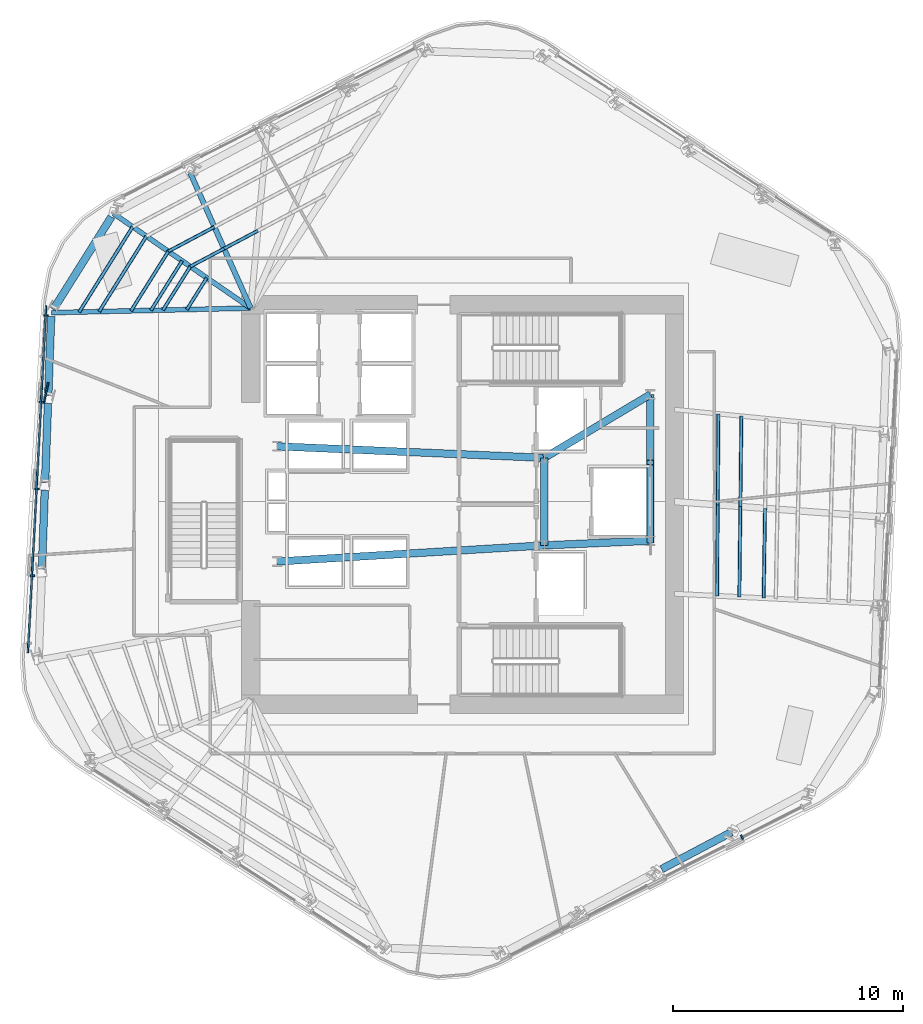
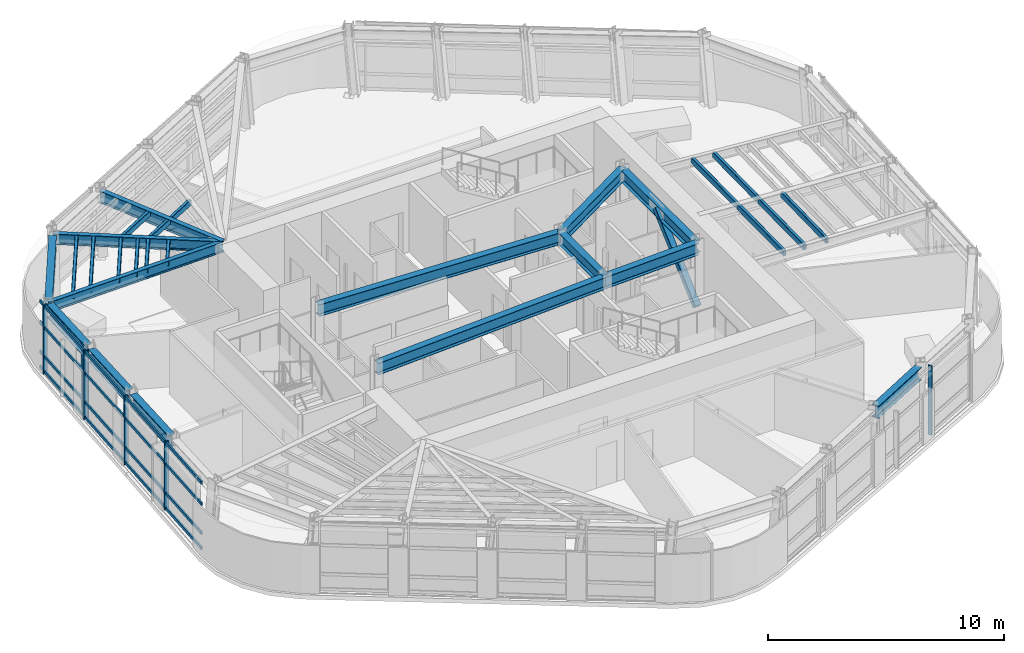
# One storey, part 3 of 14: 25 members, 14 beams, 2 elements without a shape of their own.
"""IFC4 building model written with IfcOpenShell, lengths in metres."""

from ifc_helpers import new_model, si_unit, direction, frame, origin, origin_2d, place, context, subcontext, project, spatial, rectangle, hollow_rectangle, i_section, extrude, material, layer, layer_set, material_profile, profile_set, type_object, element, aggregate, save


model = new_model("IFC4")

# Units and contexts
model_context = context("Model", 3, precision=1e-05, world=origin(), true_north=direction((0.0, 1.0)))
body_context = subcontext(model_context, "Body", "Model", "MODEL_VIEW")
ifc_project = project(units=[si_unit("LENGTHUNIT", "METRE"), si_unit("AREAUNIT", "SQUARE_METRE"), si_unit("VOLUMEUNIT", "CUBIC_METRE"), si_unit("PLANEANGLEUNIT", "RADIAN"), si_unit("MASSUNIT", "GRAM", prefix="KILO")], contexts=[model_context])

# Site, building, storey
site_placement = place(None, origin())
site = spatial("IfcSite", under=ifc_project, at=site_placement, CompositionType="ELEMENT")
building_placement = place(site_placement, origin())
building = spatial("IfcBuilding", under=site, at=building_placement, Name="Valkerne Bourse Tower", CompositionType="ELEMENT")
storey_placement = place(building_placement, frame((0.0, 0.0, 140.0)))
storey = spatial("IfcBuildingStorey", under=building, at=storey_placement, Name="L35", CompositionType="ELEMENT", Elevation=140.0)

# Beams
ifc_material_1 = material(Name="Steel ASTM A992", Category="steel")
ifc_material_profile_1 = material_profile(ifc_material_1, i_section(OverallWidth=0.209228515625, OverallDepth=0.533447265625, WebThickness=0.01025390625, FlangeThickness=0.015625, FilletRadius=0.017822265625, at=origin_2d()), Name="W21X62")
ifc_profile_set_1 = profile_set([ifc_material_profile_1], Name="Steel ASTM A992")
beam_type_1 = type_object("IfcBeamType", Name="BM-W21X62", PredefinedType="JOIST", material=ifc_profile_set_1)
beam_1_placement = place(storey_placement, frame((28.9453125, 35.201904296875, 3.313232421875), z_axis=(0.99973841743, 0.02287130766, 0.0), x_axis=(-0.02287130766, 0.99973841743, 0.0)))
element("IfcBeam", 1, at=beam_1_placement, inside=storey, type_object=beam_type_1, Name="L35 Radial Composite Floor Beam 10", PredefinedType="JOIST", context=body_context, shape_type="SweptSolid", body=[
    extrude(i_section(OverallWidth=0.209228515625, OverallDepth=0.533447265625, WebThickness=0.01025390625, FlangeThickness=0.015625, FilletRadius=0.017822265625, at=origin_2d()), origin(), (0.0, 0.0, 1.0), 8.656982421875),
])
ifc_material_profile_2 = material_profile(ifc_material_1, i_section(OverallWidth=0.2138671875, OverallDepth=0.548583984375, WebThickness=0.0146484375, FlangeThickness=0.023681640625, FilletRadius=0.017822265625, at=origin_2d()), Name="W21X93")
ifc_profile_set_2 = profile_set([ifc_material_profile_2], Name="Steel ASTM A992")
beam_type_2 = type_object("IfcBeamType", Name="BM-W21X93", PredefinedType="BEAM", material=ifc_profile_set_2)
beam_2_placement = place(storey_placement, frame((31.64501953125, 39.505126953125, 3.3056640625), z_axis=(0.823324285626, -0.567571247245, 0.0), x_axis=(0.567571247245, 0.823324285626, 0.0)))
element("IfcBeam", 2, at=beam_2_placement, inside=storey, type_object=beam_type_2, Name="L35 Radial Composite Floor Beam 09", PredefinedType="BEAM", context=body_context, shape_type="SweptSolid", body=[
    extrude(i_section(OverallWidth=0.2138671875, OverallDepth=0.548583984375, WebThickness=0.0146484375, FlangeThickness=0.023681640625, FilletRadius=0.017822265625, at=origin_2d()), origin(), (0.0, 0.0, 1.0), 7.23291015625),
])
ifc_material_profile_3 = material_profile(ifc_material_1, i_section(OverallWidth=0.3251953125, OverallDepth=0.612060546875, WebThickness=0.0126953125, FlangeThickness=0.01904296875, FilletRadius=0.020263671875, at=origin_2d()), Name="W24X104")
ifc_profile_set_3 = profile_set([ifc_material_profile_3], Name="Steel ASTM A992")
beam_type_3 = type_object("IfcBeamType", Name="BM-W24X104", PredefinedType="BEAM", material=ifc_profile_set_3)
beam_3_placement = place(storey_placement, frame((50.35009765625, 25.10009765625, 3.27392578125), z_axis=(0.0, 1.0, 0.0), x_axis=(-1.0, 0.0, 0.0)))
element("IfcBeam", 3, at=beam_3_placement, inside=storey, type_object=beam_type_3, Name="L35 Core Frame Girder CG-CE", PredefinedType="BEAM", context=body_context, shape_type="SweptSolid", body=[
    extrude(i_section(OverallWidth=0.3251953125, OverallDepth=0.612060546875, WebThickness=0.0126953125, FlangeThickness=0.01904296875, FilletRadius=0.020263671875, at=origin_2d()), origin(), (0.0, 0.0, 1.0), 3.7998046875),
])
beam_4_placement = place(storey_placement, frame((50.35009765625, 25.10009765625, 3.27392578125), z_axis=(0.999056558506, 0.043428019819, 0.0), x_axis=(-0.043428019819, 0.999056558506, 0.0)))
element("IfcBeam", 4, at=beam_4_placement, inside=storey, type_object=beam_type_3, Name="L35 Core Frame Girder CG-SE", PredefinedType="BEAM", context=body_context, shape_type="SweptSolid", body=[
    extrude(i_section(OverallWidth=0.3251953125, OverallDepth=0.612060546875, WebThickness=0.0126953125, FlangeThickness=0.01904296875, FilletRadius=0.020263671875, at=origin_2d()), origin(), (0.0, 0.0, 1.0), 4.604248046875),
])
beam_5_placement = place(storey_placement, frame((50.35009765625, 28.89990234375, 3.27392578125), z_axis=(0.858307823492, 0.513135148019, 0.0), x_axis=(-0.513135148019, 0.858307823492, 0.0)))
element("IfcBeam", 5, at=beam_5_placement, inside=storey, type_object=beam_type_3, Name="L35 Core Frame Girder CG-NE", PredefinedType="BEAM", context=body_context, shape_type="SweptSolid", body=[
    extrude(i_section(OverallWidth=0.3251953125, OverallDepth=0.612060546875, WebThickness=0.0126953125, FlangeThickness=0.01904296875, FilletRadius=0.020263671875, at=origin_2d()), origin(), (0.0, 0.0, 1.0), 5.359130859375),
])
beam_6_placement = place(storey_placement, frame((54.949951171875, 25.300048828125, 3.27392578125), z_axis=(0.0, 1.0, 0.0), x_axis=(-1.0, 0.0, 0.0)))
element("IfcBeam", 6, at=beam_6_placement, inside=storey, type_object=beam_type_3, Name="L35 Core Frame Girder CG-EE", PredefinedType="BEAM", context=body_context, shape_type="SweptSolid", body=[
    extrude(i_section(OverallWidth=0.3251953125, OverallDepth=0.612060546875, WebThickness=0.0126953125, FlangeThickness=0.01904296875, FilletRadius=0.020263671875, at=origin_2d()), origin(), (0.0, 0.0, 1.0), 6.349853515625),
])
beam_7_placement = place(storey_placement, frame((38.75, 24.39990234375, 3.27392578125), z_axis=(0.998183228389, 0.060251494276, 0.0), x_axis=(-0.060251494276, 0.998183228389, 0.0)))
element("IfcBeam", 7, at=beam_7_placement, inside=storey, type_object=beam_type_3, Name="L35 Core Frame Girder CG-SW", PredefinedType="BEAM", context=body_context, shape_type="SweptSolid", body=[
    extrude(i_section(OverallWidth=0.3251953125, OverallDepth=0.612060546875, WebThickness=0.0126953125, FlangeThickness=0.01904296875, FilletRadius=0.020263671875, at=origin_2d()), origin(), (0.0, 0.0, 1.0), 11.62109375),
])
beam_8_placement = place(storey_placement, frame((38.75, 29.39990234375, 3.27392578125), z_axis=(0.999072354402, -0.043063101019, 0.0), x_axis=(0.043063101019, 0.999072354402, 0.0)))
element("IfcBeam", 8, at=beam_8_placement, inside=storey, type_object=beam_type_3, Name="L35 Core Frame Girder CG-NW", PredefinedType="BEAM", context=body_context, shape_type="SweptSolid", body=[
    extrude(i_section(OverallWidth=0.3251953125, OverallDepth=0.612060546875, WebThickness=0.0126953125, FlangeThickness=0.01904296875, FilletRadius=0.020263671875, at=origin_2d()), origin(), (0.0, 0.0, 1.0), 11.61083984375),
])
ifc_material_profile_4 = material_profile(ifc_material_1, i_section(OverallWidth=0.330078125, OverallDepth=0.647705078125, WebThickness=0.0205078125, FlangeThickness=0.037109375, FilletRadius=0.020263671875, at=origin_2d()), Name="W24X192")
ifc_profile_set_4 = profile_set([ifc_material_profile_4], Name="Steel ASTM A992")
beam_type_4 = type_object("IfcBeamType", Name="BM-W24X192", PredefinedType="SPANDREL", material=ifc_profile_set_4)
beam_9_placement = place(storey_placement, frame((31.5546875, 39.361083984375, 3.256103515625), z_axis=(-0.531428752109, -0.847102993403, 0.0), x_axis=(0.847102993403, -0.531428752109, 0.0)))
element("IfcBeam", 9, at=beam_9_placement, inside=storey, type_object=beam_type_4, Name="L35 Hexagonal Spandrel Ring Beam 09", PredefinedType="SPANDREL", context=body_context, shape_type="SweptSolid", body=[
    extrude(i_section(OverallWidth=0.330078125, OverallDepth=0.647705078125, WebThickness=0.0205078125, FlangeThickness=0.037109375, FilletRadius=0.020263671875, at=origin_2d()), origin(), (0.0, 0.0, 1.0), 4.740234375),
])
for number, where, z_axis, x_axis, name in (
    (10, (28.939208984375, 35.031982421875, 3.256103515625), (-0.036716894408, -0.999325707497, 0.0), (0.999325707497, -0.036716894408, 0.0), "L35 Hexagonal Spandrel Ring Beam 10"),
    (11, (28.80078125, 31.263427734375, 3.256103515625), (-0.036574771609, -0.999330919206, 0.0), (0.999330919206, -0.036574771609, 0.0), "L35 Hexagonal Spandrel Ring Beam 11"),
):
    element("IfcBeam", number, at=place(storey_placement, frame(where, z_axis=z_axis, x_axis=x_axis)), inside=storey, type_object=beam_type_4, Name=name, PredefinedType="SPANDREL", context=body_context, shape_type="SweptSolid", body=[
        extrude(i_section(OverallWidth=0.330078125, OverallDepth=0.647705078125, WebThickness=0.0205078125, FlangeThickness=0.037109375, FilletRadius=0.020263671875, at=origin_2d()), origin(), (0.0, 0.0, 1.0), 3.430908203125),
    ])
beam_10_placement = place(storey_placement, frame((28.662841796875, 27.494873046875, 3.256103515625), z_axis=(-0.036648439326, -0.999328220304, 0.0), x_axis=(0.999328220304, -0.036648439326, 0.0)))
element("IfcBeam", 12, at=beam_10_placement, inside=storey, type_object=beam_type_4, Name="L35 Hexagonal Spandrel Ring Beam 12", PredefinedType="SPANDREL", context=body_context, shape_type="SweptSolid", body=[
    extrude(i_section(OverallWidth=0.330078125, OverallDepth=0.647705078125, WebThickness=0.0205078125, FlangeThickness=0.037109375, FilletRadius=0.020263671875, at=origin_2d()), origin(), (0.0, 0.0, 1.0), 3.4306640625),
])
beam_11_placement = place(storey_placement, frame((55.43994140625, 11.045166015625, 3.256103515625), z_axis=(0.883767145391, 0.467926952342, 0.0), x_axis=(-0.467926952342, 0.883767145391, 0.0)))
element("IfcBeam", 13, at=beam_11_placement, inside=storey, type_object=beam_type_4, Name="L35 Hexagonal Spandrel Ring Beam 22", PredefinedType="SPANDREL", context=body_context, shape_type="SweptSolid", body=[
    extrude(i_section(OverallWidth=0.330078125, OverallDepth=0.647705078125, WebThickness=0.0205078125, FlangeThickness=0.037109375, FilletRadius=0.020263671875, at=origin_2d()), origin(), (0.0, 0.0, 1.0), 3.430908203125),
])
ifc_material_profile_5 = material_profile(ifc_material_1, i_section(OverallWidth=0.228271484375, OverallDepth=0.607177734375, WebThickness=0.01123046875, FlangeThickness=0.017333984375, FilletRadius=0.017822265625, at=origin_2d()), Name="W24X76")
ifc_profile_set_5 = profile_set([ifc_material_profile_5], Name="Steel ASTM A992")
beam_type_5 = type_object("IfcBeamType", Name="BM-W24X76", PredefinedType="JOIST", material=ifc_profile_set_5)
beam_12_placement = place(storey_placement, frame((34.9775390625, 41.269775390625, 3.276611328125), z_axis=(0.407920530381, -0.913017437344, 0.0), x_axis=(0.913017437344, 0.407920530381, 0.0)))
element("IfcBeam", 14, at=beam_12_placement, inside=storey, type_object=beam_type_5, Name="L35 Radial Composite Floor Beam 08", PredefinedType="JOIST", context=body_context, shape_type="SweptSolid", body=[
    extrude(i_section(OverallWidth=0.228271484375, OverallDepth=0.607177734375, WebThickness=0.01123046875, FlangeThickness=0.017333984375, FilletRadius=0.017822265625, at=origin_2d()), origin(), (0.0, 0.0, 1.0), 6.42919921875),
])

# Curtain wall, members
ifc_material_2 = material(Name="Aluminium AA 6063-T6", Category="aluminium")
ifc_layer = layer(ifc_material_2, 0.235107421875)
ifc_layer_set = layer_set([ifc_layer], Name="Aluminium AA 6063-T6")
curtain_wall_type = type_object("IfcCurtainWallType", Name="CW-03", PredefinedType="NOTDEFINED", material=ifc_layer_set)
curtain_wall_1_placement = place(storey_placement, origin())
curtain_wall_1 = element("IfcCurtainWall", 15, at=curtain_wall_1_placement, inside=storey, type_object=curtain_wall_type, Name="L35 Hexagonal Stick Curtain Wall Face 3", PredefinedType="NOTDEFINED")
ifc_material_profile_6 = material_profile(ifc_material_2, rectangle(XDim=0.074951171875, YDim=0.199951171875, at=origin_2d()), Name="CWM-75X200")
ifc_profile_set_6 = profile_set([ifc_material_profile_6], Name="Aluminium AA 6063-T6")
member_type_1 = type_object("IfcMemberType", Name="CW-MUL-220X75", PredefinedType="MULLION", material=ifc_profile_set_6)
member_1_placement = place(storey_placement, frame((28.71484375, 35.07958984375, 0.0), z_axis=(0.0, 0.0, 1.0), x_axis=(-0.052347270988, -0.99862894171, 0.0)))
member_1 = element("IfcMember", 16, at=member_1_placement, type_object=member_type_1, Name="CW-L35-F3 Jamb Mullion 00A", PredefinedType="MULLION", context=body_context, shape_type="SweptSolid", body=[
    extrude(rectangle(XDim=0.074951171875, YDim=0.199951171875, at=origin_2d()), origin(), (0.0, 0.0, 1.0), 3.580078125),
])
member_2_placement = place(storey_placement, frame((28.517578125, 31.313720703125, 0.0), z_axis=(0.0, 0.0, 1.0), x_axis=(-0.052345884761, -0.998629014374, 0.0)))
member_2 = element("IfcMember", 17, at=member_2_placement, type_object=member_type_1, Name="CW-L35-F3 Jamb Mullion 01A", PredefinedType="MULLION", context=body_context, shape_type="SweptSolid", body=[
    extrude(rectangle(XDim=0.074951171875, YDim=0.199951171875, at=origin_2d()), origin(), (0.0, 0.0, 1.0), 3.580078125),
])
member_3_placement = place(storey_placement, frame((28.320068359375, 27.5478515625, 0.0), z_axis=(0.0, 0.0, 1.0), x_axis=(-0.052320825223, -0.998630327623, 0.0)))
member_3 = element("IfcMember", 18, at=member_3_placement, type_object=member_type_1, Name="CW-L35-F3 Jamb Mullion 02A", PredefinedType="MULLION", context=body_context, shape_type="SweptSolid", body=[
    extrude(rectangle(XDim=0.074951171875, YDim=0.199951171875, at=origin_2d()), origin(), (0.0, 0.0, 1.0), 3.580078125),
])
member_4_placement = place(storey_placement, frame((28.122802734375, 23.781982421875, 0.0), z_axis=(0.0, 0.0, 1.0), x_axis=(-0.052347270988, -0.99862894171, 0.0)))
member_4 = element("IfcMember", 19, at=member_4_placement, type_object=member_type_1, Name="CW-L35-F3 Jamb Mullion 03A", PredefinedType="MULLION", context=body_context, shape_type="SweptSolid", body=[
    extrude(rectangle(XDim=0.074951171875, YDim=0.199951171875, at=origin_2d()), origin(), (0.0, 0.0, 1.0), 3.580078125),
])

# Curtain wall, member
curtain_wall_2_placement = place(storey_placement, origin())
curtain_wall_2 = element("IfcCurtainWall", 20, at=curtain_wall_2_placement, inside=storey, type_object=curtain_wall_type, Name="L35 Hexagonal Stick Curtain Wall Face 5", PredefinedType="NOTDEFINED")
member_5_placement = place(storey_placement, frame((58.92529296875, 12.43408203125, 0.0), z_axis=(0.0, 0.0, 1.0), x_axis=(0.891007115267, 0.453989339681, 0.0)))
member_5 = element("IfcMember", 21, at=member_5_placement, type_object=member_type_1, Name="CW-L35-F5 Jamb Mullion 03A", PredefinedType="MULLION", context=body_context, shape_type="SweptSolid", body=[
    extrude(rectangle(XDim=0.074951171875, YDim=0.199951171875, at=origin_2d()), origin(), (0.0, 0.0, 1.0), 3.580078125),
])
aggregate(curtain_wall_2, [member_5])

# Member
ifc_material_profile_7 = material_profile(ifc_material_2, rectangle(XDim=0.074951171875, YDim=0.14990234375, at=origin_2d()), Name="CWT-75X150")
ifc_profile_set_7 = profile_set([ifc_material_profile_7], Name="Aluminium AA 6063-T6")
member_type_2 = type_object("IfcMemberType", Name="CW-TRN-180X65", PredefinedType="USERDEFINED", material=ifc_profile_set_7)
member_6_placement = place(storey_placement, frame((28.716796875, 35.5, 0.1201171875), z_axis=(-0.052327763398, -0.99862996409, 0.0), x_axis=(0.99862996409, -0.052327763398, 0.0)))
member_6 = element("IfcMember", 22, at=member_6_placement, type_object=member_type_2, Name="CW-L35-F3 Continuous Face Transom 1", ObjectType="TRANSOM", PredefinedType="USERDEFINED", context=body_context, shape_type="SweptSolid", body=[
    extrude(rectangle(XDim=0.074951171875, YDim=0.14990234375, at=origin_2d()), origin(), (0.0, 0.0, 1.0), 15.083984375),
])

member_7_placement = place(storey_placement, frame((28.716796875, 35.5, 0.89990234375), z_axis=(-0.052327763398, -0.99862996409, 0.0), x_axis=(0.99862996409, -0.052327763398, 0.0)))
member_7 = element("IfcMember", 23, at=member_7_placement, type_object=member_type_2, Name="CW-L35-F3 Continuous Face Transom 2", ObjectType="TRANSOM", PredefinedType="USERDEFINED", context=body_context, shape_type="SweptSolid", body=[
    extrude(rectangle(XDim=0.074951171875, YDim=0.14990234375, at=origin_2d()), origin(), (0.0, 0.0, 1.0), 15.083984375),
])

member_8_placement = place(storey_placement, frame((28.716796875, 35.5, 2.39990234375), z_axis=(-0.052327763398, -0.99862996409, 0.0), x_axis=(0.99862996409, -0.052327763398, 0.0)))
member_8 = element("IfcMember", 24, at=member_8_placement, type_object=member_type_2, Name="CW-L35-F3 Continuous Face Transom 3", ObjectType="TRANSOM", PredefinedType="USERDEFINED", context=body_context, shape_type="SweptSolid", body=[
    extrude(rectangle(XDim=0.074951171875, YDim=0.14990234375, at=origin_2d()), origin(), (0.0, 0.0, 1.0), 15.083984375),
])

member_9_placement = place(storey_placement, frame((28.716796875, 35.5, 3.5), z_axis=(-0.052327763398, -0.99862996409, 0.0), x_axis=(0.99862996409, -0.052327763398, 0.0)))
member_9 = element("IfcMember", 25, at=member_9_placement, type_object=member_type_2, Name="CW-L35-F3 Continuous Face Transom 4", ObjectType="TRANSOM", PredefinedType="USERDEFINED", context=body_context, shape_type="SweptSolid", body=[
    extrude(rectangle(XDim=0.074951171875, YDim=0.14990234375, at=origin_2d()), origin(), (0.0, 0.0, 1.0), 15.083984375),
])

aggregate(curtain_wall_1, [member_6, member_7, member_8, member_9, member_1, member_2, member_3, member_4])

# Members
ifc_material_3 = material(Name="Bronze Anodised Aluminium AA 6063-T6", Category="aluminium")
ifc_material_profile_8 = material_profile(ifc_material_3, rectangle(XDim=0.070068359375, YDim=0.89990234375, at=origin_2d()), Name="FIN-70X900")
ifc_profile_set_8 = profile_set([ifc_material_profile_8], Name="Bronze Anodised Aluminium AA 6063-T6")
member_type_3 = type_object("IfcMemberType", Name="FIN-SOLAR-900", PredefinedType="USERDEFINED", material=ifc_profile_set_8)
member_10_placement = place(storey_placement, frame((28.71923828125, 31.723876953125, 0.00390625), z_axis=(0.0, 0.0, 1.0), x_axis=(-0.97780902875, 0.209498217881, 0.0)))
element("IfcMember", 26, at=member_10_placement, inside=storey, type_object=member_type_3, Name="L35 Bronze Anodised Solar Fin F3-01", ObjectType="SOLAR_FIN", PredefinedType="USERDEFINED", context=body_context, shape_type="SweptSolid", body=[
    extrude(rectangle(XDim=0.070068359375, YDim=0.89990234375, at=origin_2d()), origin(), (0.0, 0.0, 1.0), 3.572021484375),
])
ifc_material_4 = material(Name="Steel ASTM A500 Grade C", Category="steel")
ifc_material_profile_9 = material_profile(ifc_material_4, hollow_rectangle(XDim=0.14990234375, YDim=0.300048828125, WallThickness=0.012451171875, OuterFilletRadius=0.02490234375, at=origin_2d()), Name="HSS300X150X12.5")
ifc_profile_set_9 = profile_set([ifc_material_profile_9], Name="Steel ASTM A500 Grade C")
member_type_4 = type_object("IfcMemberType", Name="MBR-HSS300X150X12.5", PredefinedType="PURLIN", material=ifc_profile_set_9)
member_11_placement = place(storey_placement, frame((35.6943359375, 36.713623046875, 3.419921875), z_axis=(-0.531402316367, -0.84711957725, 0.0), x_axis=(0.84711957725, -0.531402316367, 0.0)))
element("IfcMember", 27, at=member_11_placement, inside=storey, type_object=member_type_4, Name="L35 Secondary Composite Floor Purlin I-09", PredefinedType="PURLIN", context=body_context, shape_type="SweptSolid", body=[
    extrude(hollow_rectangle(XDim=0.14990234375, YDim=0.300048828125, WallThickness=0.012451171875, OuterFilletRadius=0.02490234375, at=origin_2d()), origin(), (0.0, 0.0, 1.0), 1.62548828125),
])
member_12_placement = place(storey_placement, frame((58.813720703125, 22.861328125, 3.419921875), z_axis=(0.011254806041, 0.999936662665, 0.0), x_axis=(-0.999936662665, 0.011254806041, 0.0)))
element("IfcMember", 28, at=member_12_placement, inside=storey, type_object=member_type_4, Name="L35 Secondary Composite Floor Purlin I-26", PredefinedType="PURLIN", context=body_context, shape_type="SweptSolid", body=[
    extrude(hollow_rectangle(XDim=0.14990234375, YDim=0.300048828125, WallThickness=0.012451171875, OuterFilletRadius=0.02490234375, at=origin_2d()), origin(), (0.0, 0.0, 1.0), 3.92626953125),
])
member_13_placement = place(storey_placement, frame((58.85791015625, 26.787353515625, 3.419921875), z_axis=(0.011255505878, 0.999936654787, 0.0), x_axis=(-0.999936654787, 0.011255505878, 0.0)))
element("IfcMember", 29, at=member_13_placement, inside=storey, type_object=member_type_4, Name="L35 Secondary Composite Floor Purlin I-27", PredefinedType="PURLIN", context=body_context, shape_type="SweptSolid", body=[
    extrude(hollow_rectangle(XDim=0.14990234375, YDim=0.300048828125, WallThickness=0.012451171875, OuterFilletRadius=0.02490234375, at=origin_2d()), origin(), (0.0, 0.0, 1.0), 3.926025390625),
])
member_14_placement = place(storey_placement, frame((37.91259765625, 38.759033203125, 3.419921875), z_axis=(-0.883798652491, -0.467867440473, 0.0), x_axis=(0.467867440473, -0.883798652491, 0.0)))
element("IfcMember", 30, at=member_14_placement, inside=storey, type_object=member_type_4, Name="L35 Secondary Composite Floor Purlin K-07", PredefinedType="PURLIN", context=body_context, shape_type="SweptSolid", body=[
    extrude(hollow_rectangle(XDim=0.14990234375, YDim=0.300048828125, WallThickness=0.012451171875, OuterFilletRadius=0.02490234375, at=origin_2d()), origin(), (0.0, 0.0, 1.0), 1.659423828125),
])
member_15_placement = place(storey_placement, frame((36.446044921875, 37.982666015625, 3.419921875), z_axis=(-0.88376643987, -0.467928284846, 0.0), x_axis=(0.467928284846, -0.88376643987, 0.0)))
element("IfcMember", 31, at=member_15_placement, inside=storey, type_object=member_type_4, Name="L35 Secondary Composite Floor Purlin K-08", PredefinedType="PURLIN", context=body_context, shape_type="SweptSolid", body=[
    extrude(hollow_rectangle(XDim=0.14990234375, YDim=0.300048828125, WallThickness=0.012451171875, OuterFilletRadius=0.02490234375, at=origin_2d()), origin(), (0.0, 0.0, 1.0), 1.6591796875),
])
member_16_placement = place(storey_placement, frame((34.979736328125, 37.206298828125, 3.419921875), z_axis=(-0.531372742839, -0.847138128152, 0.0), x_axis=(0.847138128152, -0.531372742839, 0.0)))
element("IfcMember", 32, at=member_16_placement, inside=storey, type_object=member_type_4, Name="L35 Secondary Composite Floor Purlin K-09", PredefinedType="PURLIN", context=body_context, shape_type="SweptSolid", body=[
    extrude(hollow_rectangle(XDim=0.14990234375, YDim=0.300048828125, WallThickness=0.012451171875, OuterFilletRadius=0.02490234375, at=origin_2d()), origin(), (0.0, 0.0, 1.0), 2.2353515625),
])
member_17_placement = place(storey_placement, frame((59.868896484375, 22.809326171875, 3.419921875), z_axis=(0.015592768079, 0.999878425402, 0.0), x_axis=(-0.999878425402, 0.015592768079, 0.0)))
element("IfcMember", 33, at=member_17_placement, inside=storey, type_object=member_type_4, Name="L35 Secondary Composite Floor Purlin K-26", PredefinedType="PURLIN", context=body_context, shape_type="SweptSolid", body=[
    extrude(hollow_rectangle(XDim=0.14990234375, YDim=0.300048828125, WallThickness=0.012451171875, OuterFilletRadius=0.02490234375, at=origin_2d()), origin(), (0.0, 0.0, 1.0), 3.898681640625),
])
member_18_placement = place(storey_placement, frame((34.62255859375, 37.45263671875, 3.419921875), z_axis=(-0.53139776725, -0.847122430917, 0.0), x_axis=(0.847122430917, -0.53139776725, 0.0)))
element("IfcMember", 34, at=member_18_placement, inside=storey, type_object=member_type_4, Name="L35 Secondary Composite Floor Purlin M-09", PredefinedType="PURLIN", context=body_context, shape_type="SweptSolid", body=[
    extrude(hollow_rectangle(XDim=0.14990234375, YDim=0.300048828125, WallThickness=0.012451171875, OuterFilletRadius=0.02490234375, at=origin_2d()), origin(), (0.0, 0.0, 1.0), 2.540283203125),
])
member_19_placement = place(storey_placement, frame((33.07421875, 38.52001953125, 3.419921875), z_axis=(-0.531430573025, -0.847101851051, 0.0), x_axis=(0.847101851051, -0.531430573025, 0.0)))
element("IfcMember", 35, at=member_19_placement, inside=storey, type_object=member_type_4, Name="L35 Secondary Composite Floor Purlin O-09", PredefinedType="PURLIN", context=body_context, shape_type="SweptSolid", body=[
    extrude(hollow_rectangle(XDim=0.14990234375, YDim=0.300048828125, WallThickness=0.012451171875, OuterFilletRadius=0.02490234375, at=origin_2d()), origin(), (0.0, 0.0, 1.0), 3.86083984375),
])
member_20_placement = place(storey_placement, frame((36.026611328125, 38.921875, 3.419921875), z_axis=(-0.883761670413, -0.467937292709, 0.0), x_axis=(0.467937292709, -0.883761670413, 0.0)))
element("IfcMember", 36, at=member_20_placement, inside=storey, type_object=member_type_4, Name="L35 Secondary Composite Floor Purlin Z-08", PredefinedType="PURLIN", context=body_context, shape_type="SweptSolid", body=[
    extrude(hollow_rectangle(XDim=0.14990234375, YDim=0.300048828125, WallThickness=0.012451171875, OuterFilletRadius=0.02490234375, at=origin_2d()), origin(), (0.0, 0.0, 1.0), 2.2626953125),
])
member_21_placement = place(storey_placement, frame((34.02685546875, 37.863037109375, 3.419921875), z_axis=(-0.531380628557, -0.847133181734, 0.0), x_axis=(0.847133181734, -0.531380628557, 0.0)))
element("IfcMember", 37, at=member_21_placement, inside=storey, type_object=member_type_4, Name="L35 Secondary Composite Floor Purlin Z-09", PredefinedType="PURLIN", context=body_context, shape_type="SweptSolid", body=[
    extrude(hollow_rectangle(XDim=0.14990234375, YDim=0.300048828125, WallThickness=0.012451171875, OuterFilletRadius=0.02490234375, at=origin_2d()), origin(), (0.0, 0.0, 1.0), 3.0478515625),
])
for number, where, z_axis, x_axis, name in (
    (38, (57.846435546875, 22.908935546875, 3.419921875), (0.007352288144, 0.999972971564, 0.0), (-0.999972971564, 0.007352288144, 0.0), "L35 Secondary Composite Floor Purlin S-26"),
    (39, (57.87548828125, 26.8603515625, 3.419921875), (0.007352288144, 0.999972971564, 0.0), (-0.999972971564, 0.007352288144, 0.0), "L35 Secondary Composite Floor Purlin S-27"),
):
    element("IfcMember", number, at=place(storey_placement, frame(where, z_axis=z_axis, x_axis=x_axis)), inside=storey, type_object=member_type_4, Name=name, PredefinedType="PURLIN", context=body_context, shape_type="SweptSolid", body=[
        extrude(hollow_rectangle(XDim=0.14990234375, YDim=0.300048828125, WallThickness=0.012451171875, OuterFilletRadius=0.02490234375, at=origin_2d()), origin(), (0.0, 0.0, 1.0), 3.951416015625),
    ])
member_22_placement = place(storey_placement, frame((32.478515625, 38.930419921875, 3.419921875), z_axis=(-0.531389645734, -0.847127525469, 0.0), x_axis=(0.847127525469, -0.531389645734, 0.0)))
element("IfcMember", 40, at=member_22_placement, inside=storey, type_object=member_type_4, Name="L35 Secondary Composite Floor Purlin T-09", PredefinedType="PURLIN", context=body_context, shape_type="SweptSolid", body=[
    extrude(hollow_rectangle(XDim=0.14990234375, YDim=0.300048828125, WallThickness=0.012451171875, OuterFilletRadius=0.02490234375, at=origin_2d()), origin(), (0.0, 0.0, 1.0), 4.368896484375),
])
ifc_material_profile_10 = material_profile(ifc_material_4, hollow_rectangle(XDim=0.300048828125, YDim=0.300048828125, WallThickness=0.012451171875, OuterFilletRadius=0.02490234375, at=origin_2d()), Name="HSS300X300X12.5")
ifc_profile_set_10 = profile_set([ifc_material_profile_10], Name="Steel ASTM A500 Grade C")
member_type_5 = type_object("IfcMemberType", Name="MBR-HSS300X300X12.5", PredefinedType="STRUT", material=ifc_profile_set_10)
member_23_placement = place(storey_placement, frame((54.949951171875, 25.300048828125, 0.219970703125), z_axis=(0.0, 0.743941933778, 0.668244266094), x_axis=(-1.0, 0.0, 0.0)))
element("IfcMember", 41, at=member_23_placement, inside=storey, type_object=member_type_5, Name="L35 Core Service Pier Lateral Brace", PredefinedType="STRUT", context=body_context, shape_type="SweptSolid", body=[
    extrude(hollow_rectangle(XDim=0.300048828125, YDim=0.300048828125, WallThickness=0.012451171875, OuterFilletRadius=0.02490234375, at=origin_2d()), origin(), (0.0, 0.0, 1.0), 4.570068359375),
])

save(model, "model.ifc")
